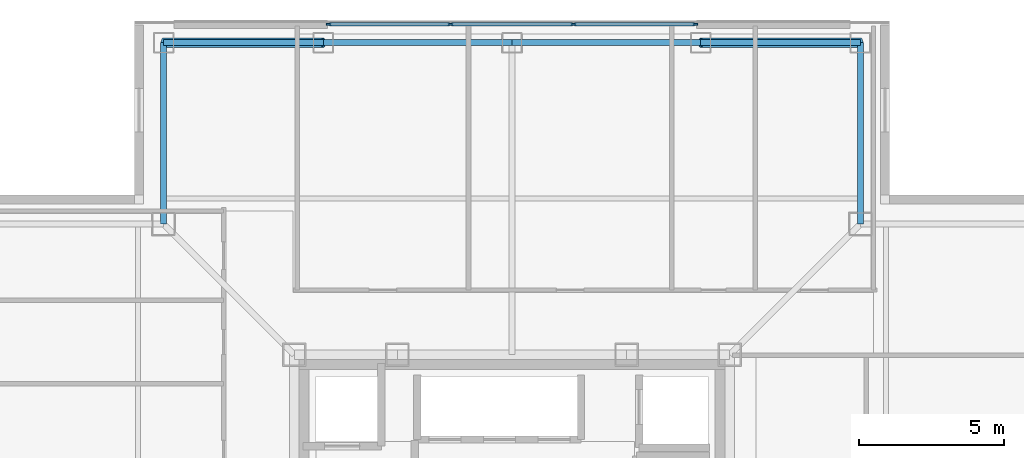
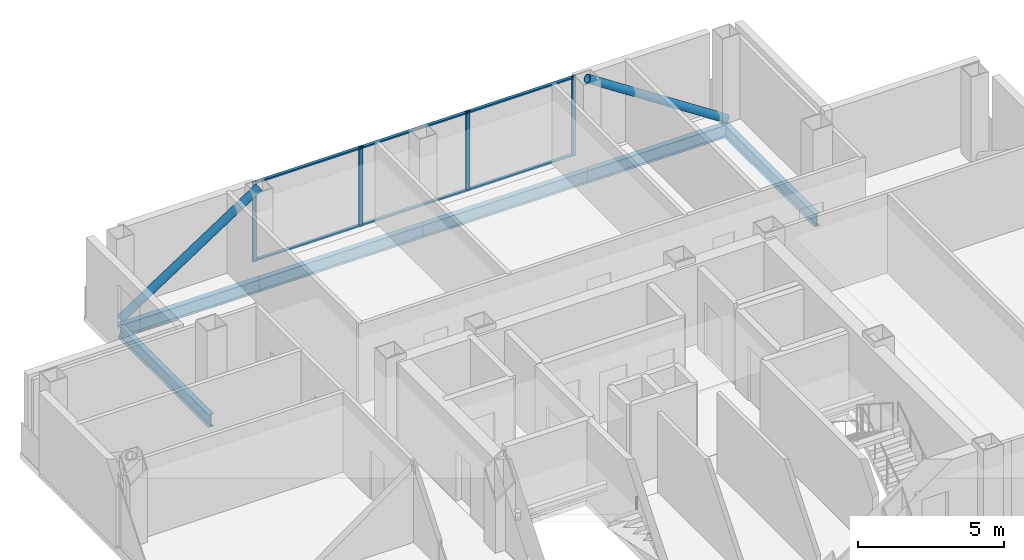
# One storey, part 7 of 16: 12 members, 6 beams, 1 element without a shape of its own.
"""IFC4 building model written with IfcOpenShell, lengths in metres."""

import ifcopenshell
import ifcopenshell.guid

model = None  # the IFC model being written
_history = None  # IfcOwnerHistory: only IFC2X3 demands one
_inside = {}  # id of a spatial element -> (the spatial element, [elements in it])
_under = {}  # id of a project, library or spatial element -> (it, [spatial elements below it])
_declared = {}  # id of a project -> (the project, [libraries it declares])
_typed = {}  # id of a type object -> (the type object, [elements of that type])
_made_of = {}  # id of a material, layer set ... -> (it, [elements and type objects made of it])


def new_model(schema):
    """Start an empty IFC model of exactly this schema.

    Asked for "IFC4X3", IfcOpenShell would pick the latest addendum, in which some entities
    have other attributes; the version numbers below select the first issue.
    IFC2X3 requires an IfcOwnerHistory on every rooted entity: one is made here for all.
    """
    global model, _history
    if schema == "IFC4X3":
        model = ifcopenshell.file(schema_version=(4, 3, 0, 0))
    else:
        model = ifcopenshell.file(schema=schema)
    _inside.clear()
    _under.clear()
    _declared.clear()
    _typed.clear()
    _made_of.clear()
    _history = None
    if model.schema == "IFC2X3":
        org = make("IfcOrganization", Name="unknown")
        user = make(
            "IfcPersonAndOrganization",
            ThePerson=make("IfcPerson", FamilyName="unknown"),
            TheOrganization=org,
        )
        app = make(
            "IfcApplication",
            ApplicationDeveloper=org,
            Version="unknown",
            ApplicationFullName="unknown",
            ApplicationIdentifier="unknown",
        )
        _history = make(
            "IfcOwnerHistory",
            OwningUser=user,
            OwningApplication=app,
            ChangeAction="ADDED",
            CreationDate=0,
        )
    return model


def make(cls, **values):
    """One entity of the class cls with the attributes given. An attribute that is None is left unset."""
    return model.create_entity(
        cls, **{name: value for name, value in values.items() if value is not None}
    )


def rooted(cls, **values):
    """An entity with a GlobalId (a new one), such as an element, a storey or a relation."""
    return make(cls, GlobalId=ifcopenshell.guid.new(), OwnerHistory=_history, **values)


def si_unit(unit_type, name, prefix=None):
    """IfcSIUnit, for example si_unit("LENGTHUNIT", "METRE", prefix="MILLI")."""
    return make("IfcSIUnit", UnitType=unit_type, Prefix=prefix, Name=name)


def assignment(units):
    """IfcUnitAssignment: the units of a project."""
    return None if units is None else make("IfcUnitAssignment", Units=units)


def point(xyz):
    """IfcCartesianPoint."""
    return None if xyz is None else make("IfcCartesianPoint", Coordinates=xyz)


def direction(xyz):
    """IfcDirection."""
    return None if xyz is None else make("IfcDirection", DirectionRatios=xyz)


def frame(location, z_axis=None, x_axis=None):
    """IfcAxis2Placement3D, a coordinate frame: its origin and axes. An axis left out is left unset."""
    return make(
        "IfcAxis2Placement3D",
        Location=point(location),
        Axis=direction(z_axis),
        RefDirection=direction(x_axis),
    )


def frame_2d(location, x_axis=None):
    """IfcAxis2Placement2D, a coordinate frame in the plane: its origin and x axis."""
    return make(
        "IfcAxis2Placement2D", Location=point(location), RefDirection=direction(x_axis)
    )


def origin():
    """The frame at (0, 0, 0) with its axes left unset."""
    return frame((0.0, 0.0, 0.0))


def origin_2d():
    """The frame at (0, 0) in the plane with its x axis left unset."""
    return frame_2d((0.0, 0.0))


def place(relative_to, where):
    """IfcLocalPlacement: puts the frame where relative to a parent placement (None: the world)."""
    return make(
        "IfcLocalPlacement", PlacementRelTo=relative_to, RelativePlacement=where
    )


def context(
    kind, dimensions, precision=None, world=None, true_north=None, identifier=None
):
    """IfcGeometricRepresentationContext, for example the 3D "Model" context."""
    return make(
        "IfcGeometricRepresentationContext",
        ContextIdentifier=identifier,
        ContextType=kind,
        CoordinateSpaceDimension=dimensions,
        Precision=precision,
        WorldCoordinateSystem=world,
        TrueNorth=true_north,
    )


def subcontext(parent, identifier, kind, view, scale=None):
    """IfcGeometricRepresentationSubContext, for example "Body" below "Model"."""
    return make(
        "IfcGeometricRepresentationSubContext",
        ContextIdentifier=identifier,
        ContextType=kind,
        ParentContext=parent,
        TargetScale=scale,
        TargetView=view,
    )


def project(units=None, contexts=None):
    """IfcProject with its units and contexts."""
    return rooted(
        "IfcProject",
        Name="project",
        RepresentationContexts=contexts,
        UnitsInContext=assignment(units),
    )


def spatial(cls, under=None, at=None, **own):
    """A site, building, storey or space (cls), placed at a placement, below another one or the project."""
    s = rooted(cls, ObjectPlacement=at, **own)
    if under is not None:
        _under.setdefault(under.id(), (under, []))[1].append(s)
    return s


def profile(cls, at=None, kind="AREA", **sizes):
    """A parametric profile (cls). Its sizes go by their IFC names, for example OverallWidth=200.0."""
    return make(cls, ProfileType=kind, Position=at, **sizes)


def rectangle(**sizes):
    """IfcRectangleProfileDef."""
    return profile("IfcRectangleProfileDef", **sizes)


def hollow_circle(**sizes):
    """IfcCircleHollowProfileDef."""
    return profile("IfcCircleHollowProfileDef", **sizes)


def i_section(**sizes):
    """IfcIShapeProfileDef."""
    return profile("IfcIShapeProfileDef", **sizes)


def extrude(swept, where, along, depth):
    """IfcExtrudedAreaSolid: the profile swept, set in the frame where, extruded along a direction by depth."""
    return make(
        "IfcExtrudedAreaSolid",
        SweptArea=swept,
        Position=where,
        ExtrudedDirection=direction(along),
        Depth=depth,
    )


def shape(context_of_items, identifier, shape_type, items):
    """IfcShapeRepresentation: the items that make up one representation, for example the "Body"."""
    return make(
        "IfcShapeRepresentation",
        ContextOfItems=context_of_items,
        RepresentationIdentifier=identifier,
        RepresentationType=shape_type,
        Items=items,
    )


def material(Name=None, Category=None):
    """IfcMaterial."""
    return make("IfcMaterial", Name=Name, Category=Category)


def layer(
    of_material, thickness, ventilated=None, Name=None, Category=None, Priority=None
):
    """IfcMaterialLayer: one layer of a wall or slab, of a material (None: an air gap)."""
    return make(
        "IfcMaterialLayer",
        Material=of_material,
        LayerThickness=thickness,
        IsVentilated=ventilated,
        Name=Name,
        Category=Category,
        Priority=Priority,
    )


def layer_set(layers, Name=None):
    """IfcMaterialLayerSet."""
    return make("IfcMaterialLayerSet", MaterialLayers=layers, LayerSetName=Name)


def material_profile(
    of_material, cross_section, Name=None, Category=None, Priority=None
):
    """IfcMaterialProfile: a cross section and its material."""
    return make(
        "IfcMaterialProfile",
        Name=Name,
        Material=of_material,
        Profile=cross_section,
        Priority=Priority,
        Category=Category,
    )


def profile_set(profiles, Name=None, composite=None):
    """IfcMaterialProfileSet."""
    return make(
        "IfcMaterialProfileSet",
        Name=Name,
        MaterialProfiles=profiles,
        CompositeProfile=composite,
    )


def made_of(thing, what):
    """Note that an element or type object is made of a material, layer set ...; save() writes the relation."""
    if what is not None:
        _made_of.setdefault(what.id(), (what, []))[1].append(thing)
    return thing


def type_object(cls, material=None, **own):
    """A type object (cls), such as IfcWallType, which elements share."""
    return made_of(rooted(cls, **own), material)


def element(
    cls,
    number,
    at=None,
    inside=None,
    cuts=None,
    type_object=None,
    material=None,
    context=None,
    identifier="Body",
    shape_type=None,
    held_by="IfcProductDefinitionShape",
    body=None,
    shapes=None,
    **own,
):
    """One element of the class cls, such as IfcWall. Its Tag is "e" and its number.

    at: its placement. inside: the storey or other place that contains it. cuts: it is an
    opening in that element (IfcRelVoidsElement). A single representation is given by context,
    identifier, shape_type and body (its items); several are given by shapes. held_by: the class
    of the entity that holds the representations. save() writes the other relations.
    """
    e = rooted(cls, Tag="e%d" % number, ObjectPlacement=at, **own)
    if body is not None:
        shapes = [shape(context, identifier, shape_type, body)]
    if shapes is not None:
        e.Representation = make(held_by, Representations=shapes)
    if inside is not None:
        _inside.setdefault(inside.id(), (inside, []))[1].append(e)
    if cuts is not None:
        rooted(
            "IfcRelVoidsElement", RelatingBuildingElement=cuts, RelatedOpeningElement=e
        )
    if type_object is not None:
        _typed.setdefault(type_object.id(), (type_object, []))[1].append(e)
    return made_of(e, material)


def aggregate(whole, parts):
    """IfcRelAggregates: a whole, such as a stair, and the parts it consists of."""
    return rooted("IfcRelAggregates", RelatingObject=whole, RelatedObjects=parts)


def save(model, path):
    """Write the relations noted so far, then the file.

    IfcRelAggregates (storeys below a building ...), IfcRelContainedInSpatialStructure (elements
    in a storey), IfcRelDefinesByType, IfcRelAssociatesMaterial and IfcRelDeclares: one each for
    every whole, place, type object, material and project.
    """
    for whole, parts in _under.values():
        aggregate(whole, parts)
    for where, things in _inside.values():
        rooted(
            "IfcRelContainedInSpatialStructure",
            RelatedElements=things,
            RelatingStructure=where,
        )
    for kind, things in _typed.values():
        rooted("IfcRelDefinesByType", RelatedObjects=things, RelatingType=kind)
    for what, things in _made_of.values():
        rooted("IfcRelAssociatesMaterial", RelatedObjects=things, RelatingMaterial=what)
    for by, libraries in _declared.values():
        rooted("IfcRelDeclares", RelatingContext=by, RelatedDefinitions=libraries)
    model.write(path)


model = new_model("IFC4")

# Units and contexts
model_context = context("Model", 3, precision=1e-05, world=origin(), true_north=direction((0.0, 1.0)))
body_context = subcontext(model_context, "Body", "Model", "MODEL_VIEW")
ifc_project = project(units=[si_unit("LENGTHUNIT", "METRE"), si_unit("AREAUNIT", "SQUARE_METRE"), si_unit("VOLUMEUNIT", "CUBIC_METRE"), si_unit("PLANEANGLEUNIT", "RADIAN"), si_unit("MASSUNIT", "GRAM", prefix="KILO")], contexts=[model_context])

# Site, building, storey
site_placement = place(None, origin())
site = spatial("IfcSite", under=ifc_project, at=site_placement, CompositionType="ELEMENT")
building_placement = place(site_placement, origin())
building = spatial("IfcBuilding", under=site, at=building_placement, Name="Trevonay Congress Spire", CompositionType="ELEMENT")
storey_placement = place(building_placement, frame((0.0, 0.0, 236.0)))
storey = spatial("IfcBuildingStorey", under=building, at=storey_placement, Name="L61", CompositionType="ELEMENT", Elevation=236.0)

# Beams
ifc_material_1 = material(Name="Steel ASTM A572 Grade 50", Category="steel")
ifc_material_profile_1 = material_profile(ifc_material_1, i_section(OverallWidth=0.208984375, OverallDepth=0.532958984375, WebThickness=0.01025390625, FlangeThickness=0.015625, FilletRadius=0.014892578125, at=origin_2d()), Name="W530x92")
ifc_profile_set_1 = profile_set([ifc_material_profile_1], Name="Steel ASTM A572 Grade 50")
beam_type = type_object("IfcBeamType", Name="BM-RING-W530X92", PredefinedType="BEAM", material=ifc_profile_set_1)
beam_1_placement = place(storey_placement, frame((-12.0, 18.25, -0.506591796875), z_axis=(1.0, 0.0, 0.0), x_axis=(0.0, 1.0, 0.0)))
element("IfcBeam", 1, at=beam_1_placement, inside=storey, type_object=beam_type, Name="L61 structural beam BM-L61-PN1", PredefinedType="BEAM", context=body_context, shape_type="SweptSolid", body=[
    extrude(i_section(OverallWidth=0.208984375, OverallDepth=0.532958984375, WebThickness=0.01025390625, FlangeThickness=0.015625, FilletRadius=0.014892578125, at=origin_2d()), origin(), (0.0, 0.0, 1.0), 5.5),
])
for number, where, z_axis, x_axis, name in (
    (2, (-6.5, 18.25, -0.506591796875), (1.0, 0.0, 0.0), (0.0, 1.0, 0.0), "L61 structural beam BM-L61-PN2"),
    (3, (0.0, 18.25, -0.506591796875), (1.0, 0.0, 0.0), (0.0, 1.0, 0.0), "L61 structural beam BM-L61-PN3"),
):
    element("IfcBeam", number, at=place(storey_placement, frame(where, z_axis=z_axis, x_axis=x_axis)), inside=storey, type_object=beam_type, Name=name, PredefinedType="BEAM", context=body_context, shape_type="SweptSolid", body=[
        extrude(i_section(OverallWidth=0.208984375, OverallDepth=0.532958984375, WebThickness=0.01025390625, FlangeThickness=0.015625, FilletRadius=0.014892578125, at=origin_2d()), origin(), (0.0, 0.0, 1.0), 6.5),
    ])
beam_2_placement = place(storey_placement, frame((6.5, 18.25, -0.506591796875), z_axis=(1.0, 0.0, 0.0), x_axis=(0.0, 1.0, 0.0)))
element("IfcBeam", 4, at=beam_2_placement, inside=storey, type_object=beam_type, Name="L61 structural beam BM-L61-PN4", PredefinedType="BEAM", context=body_context, shape_type="SweptSolid", body=[
    extrude(i_section(OverallWidth=0.208984375, OverallDepth=0.532958984375, WebThickness=0.01025390625, FlangeThickness=0.015625, FilletRadius=0.014892578125, at=origin_2d()), origin(), (0.0, 0.0, 1.0), 5.5),
])
for number, where, z_axis, x_axis, name in (
    (5, (12.0, 18.25, -0.506591796875), (0.0, -1.0, 0.0), (1.0, 0.0, 0.0), "L61 structural beam BM-L61-N1NE"),
    (6, (-12.0, 18.25, -0.506591796875), (0.0, -1.0, 0.0), (1.0, 0.0, 0.0), "L61 structural beam BM-L61-N1NW"),
):
    element("IfcBeam", number, at=place(storey_placement, frame(where, z_axis=z_axis, x_axis=x_axis)), inside=storey, type_object=beam_type, Name=name, PredefinedType="BEAM", context=body_context, shape_type="SweptSolid", body=[
        extrude(i_section(OverallWidth=0.208984375, OverallDepth=0.532958984375, WebThickness=0.01025390625, FlangeThickness=0.015625, FilletRadius=0.014892578125, at=origin_2d()), origin(), (0.0, 0.0, 1.0), 6.25),
    ])

# Curtain wall, members
ifc_material_2 = material(Name="Pale Anodised Aluminium EN AW-6063-T6", Category="aluminium")
ifc_layer = layer(ifc_material_2, 0.1650390625, Name="Pale Anodised Aluminium EN AW-6063-T6")
ifc_layer_set = layer_set([ifc_layer], Name="Pale Anodised Aluminium EN AW-6063-T6")
curtain_wall_type = type_object("IfcCurtainWallType", Name="CW-SYS05-DIPLOM-PALE-METAL", PredefinedType="NOTDEFINED", material=ifc_layer_set)
curtain_wall_placement = place(storey_placement, origin())
curtain_wall = element("IfcCurtainWall", 7, at=curtain_wall_placement, inside=storey, type_object=curtain_wall_type, Name="L61 N unitised curtain wall", PredefinedType="NOTDEFINED")
ifc_material_profile_2 = material_profile(ifc_material_2, rectangle(XDim=0.06005859375, YDim=0.159912109375, at=origin_2d()), Name="CW-MULLION-160-ALUMINIUM")
ifc_profile_set_2 = profile_set([ifc_material_profile_2], Name="Pale Anodised Aluminium EN AW-6063-T6")
member_type_1 = type_object("IfcMemberType", Name="CW-MULLION-160-ALUMINIUM", PredefinedType="MULLION", material=ifc_profile_set_2)
member_1_placement = place(storey_placement, frame((-6.320068359375, 18.8798828125, 0.0), z_axis=(0.0, 0.0, 1.0), x_axis=(0.0, 1.0, 0.0)))
member_1 = element("IfcMember", 8, at=member_1_placement, type_object=member_type_1, Name="CW05 mullion 1", PredefinedType="MULLION", context=body_context, shape_type="SweptSolid", body=[
    extrude(rectangle(XDim=0.06005859375, YDim=0.159912109375, at=origin_2d()), origin(), (0.0, 0.0, 1.0), 3.360107421875),
])
member_2_placement = place(storey_placement, frame((-2.11669921875, 18.8798828125, 0.0), z_axis=(0.0, 0.0, 1.0), x_axis=(0.0, 1.0, 0.0)))
member_2 = element("IfcMember", 9, at=member_2_placement, type_object=member_type_1, Name="CW05 mullion 2", PredefinedType="MULLION", context=body_context, shape_type="SweptSolid", body=[
    extrude(rectangle(XDim=0.06005859375, YDim=0.159912109375, at=origin_2d()), origin(), (0.0, 0.0, 1.0), 3.360107421875),
])
member_3_placement = place(storey_placement, frame((2.11669921875, 18.8798828125, 0.0), z_axis=(0.0, 0.0, 1.0), x_axis=(0.0, 1.0, 0.0)))
member_3 = element("IfcMember", 10, at=member_3_placement, type_object=member_type_1, Name="CW05 mullion 3", PredefinedType="MULLION", context=body_context, shape_type="SweptSolid", body=[
    extrude(rectangle(XDim=0.06005859375, YDim=0.159912109375, at=origin_2d()), origin(), (0.0, 0.0, 1.0), 3.360107421875),
])
member_4_placement = place(storey_placement, frame((6.320068359375, 18.8798828125, 0.0), z_axis=(0.0, 0.0, 1.0), x_axis=(0.0, 1.0, 0.0)))
member_4 = element("IfcMember", 11, at=member_4_placement, type_object=member_type_1, Name="CW05 mullion 4", PredefinedType="MULLION", context=body_context, shape_type="SweptSolid", body=[
    extrude(rectangle(XDim=0.06005859375, YDim=0.159912109375, at=origin_2d()), origin(), (0.0, 0.0, 1.0), 3.360107421875),
])
ifc_material_profile_3 = material_profile(ifc_material_2, rectangle(XDim=0.1201171875, YDim=0.06005859375, at=origin_2d()), Name="CW-TRANSOM-120-ALUMINIUM")
ifc_profile_set_3 = profile_set([ifc_material_profile_3], Name="Pale Anodised Aluminium EN AW-6063-T6")
member_type_2 = type_object("IfcMemberType", Name="CW-TRANSOM-120-ALUMINIUM", PredefinedType="USERDEFINED", material=ifc_profile_set_3)
member_5_placement = place(storey_placement, frame((-6.2900390625, 18.8798828125, 0.06005859375), z_axis=(1.0, 0.0, 0.0), x_axis=(0.0, 1.0, 0.0)))
member_5 = element("IfcMember", 12, at=member_5_placement, type_object=member_type_2, Name="CW05 transom 1.1", ObjectType="TRANSOM", PredefinedType="USERDEFINED", context=body_context, shape_type="SweptSolid", body=[
    extrude(rectangle(XDim=0.1201171875, YDim=0.06005859375, at=origin_2d()), origin(), (0.0, 0.0, 1.0), 4.143310546875),
])
member_6_placement = place(storey_placement, frame((-6.2900390625, 18.8798828125, 3.300048828125), z_axis=(1.0, 0.0, 0.0), x_axis=(0.0, 1.0, 0.0)))
member_6 = element("IfcMember", 13, at=member_6_placement, type_object=member_type_2, Name="CW05 transom 1.2", ObjectType="TRANSOM", PredefinedType="USERDEFINED", context=body_context, shape_type="SweptSolid", body=[
    extrude(rectangle(XDim=0.1201171875, YDim=0.06005859375, at=origin_2d()), origin(), (0.0, 0.0, 1.0), 4.143310546875),
])
member_7_placement = place(storey_placement, frame((-2.086669921875, 18.8798828125, 0.06005859375), z_axis=(1.0, 0.0, 0.0), x_axis=(0.0, 1.0, 0.0)))
member_7 = element("IfcMember", 14, at=member_7_placement, type_object=member_type_2, Name="CW05 transom 2.1", ObjectType="TRANSOM", PredefinedType="USERDEFINED", context=body_context, shape_type="SweptSolid", body=[
    extrude(rectangle(XDim=0.1201171875, YDim=0.06005859375, at=origin_2d()), origin(), (0.0, 0.0, 1.0), 4.17333984375),
])
member_8_placement = place(storey_placement, frame((-2.086669921875, 18.8798828125, 3.300048828125), z_axis=(1.0, 0.0, 0.0), x_axis=(0.0, 1.0, 0.0)))
member_8 = element("IfcMember", 15, at=member_8_placement, type_object=member_type_2, Name="CW05 transom 2.2", ObjectType="TRANSOM", PredefinedType="USERDEFINED", context=body_context, shape_type="SweptSolid", body=[
    extrude(rectangle(XDim=0.1201171875, YDim=0.06005859375, at=origin_2d()), origin(), (0.0, 0.0, 1.0), 4.17333984375),
])
member_9_placement = place(storey_placement, frame((2.146728515625, 18.8798828125, 0.06005859375), z_axis=(1.0, 0.0, 0.0), x_axis=(0.0, 1.0, 0.0)))
member_9 = element("IfcMember", 16, at=member_9_placement, type_object=member_type_2, Name="CW05 transom 3.1", ObjectType="TRANSOM", PredefinedType="USERDEFINED", context=body_context, shape_type="SweptSolid", body=[
    extrude(rectangle(XDim=0.1201171875, YDim=0.06005859375, at=origin_2d()), origin(), (0.0, 0.0, 1.0), 4.143310546875),
])
member_10_placement = place(storey_placement, frame((2.146728515625, 18.8798828125, 3.300048828125), z_axis=(1.0, 0.0, 0.0), x_axis=(0.0, 1.0, 0.0)))
member_10 = element("IfcMember", 17, at=member_10_placement, type_object=member_type_2, Name="CW05 transom 3.2", ObjectType="TRANSOM", PredefinedType="USERDEFINED", context=body_context, shape_type="SweptSolid", body=[
    extrude(rectangle(XDim=0.1201171875, YDim=0.06005859375, at=origin_2d()), origin(), (0.0, 0.0, 1.0), 4.143310546875),
])
aggregate(curtain_wall, [member_1, member_2, member_3, member_4, member_5, member_6, member_7, member_8, member_9, member_10])

# Members
ifc_material_3 = material(Name="Steel ASTM A500 Grade C", Category="steel")
ifc_material_profile_4 = material_profile(ifc_material_3, hollow_circle(Radius=0.161865234375, WallThickness=0.01611328125, at=origin_2d()), Name="CHS 323.9x16")
ifc_profile_set_4 = profile_set([ifc_material_profile_4], Name="Steel ASTM A500 Grade C")
member_type_3 = type_object("IfcMemberType", Name="MBR-TUBE-CHS324", PredefinedType="BRACE", material=ifc_profile_set_4)
for number, where, z_axis, x_axis, name in (
    (18, (-12.0, 18.25, -0.050048828125), (0.836694709366, 0.0, 0.547669574943), (0.0, 1.0, 0.0), "L61 perimeter braced-tube diagonal N0"),
    (19, (12.0, 18.25, -0.050048828125), (-0.836694709366, 0.0, 0.547669574943), (0.0, -1.0, 0.0), "L61 perimeter braced-tube diagonal N3"),
):
    element("IfcMember", number, at=place(storey_placement, frame(where, z_axis=z_axis, x_axis=x_axis)), inside=storey, type_object=member_type_3, Name=name, PredefinedType="BRACE", context=body_context, shape_type="SweptSolid", body=[
        extrude(hollow_circle(Radius=0.161865234375, WallThickness=0.01611328125, at=origin_2d()), origin(), (0.0, 0.0, 1.0), 6.573486328125),
    ])

save(model, "model.ifc")
